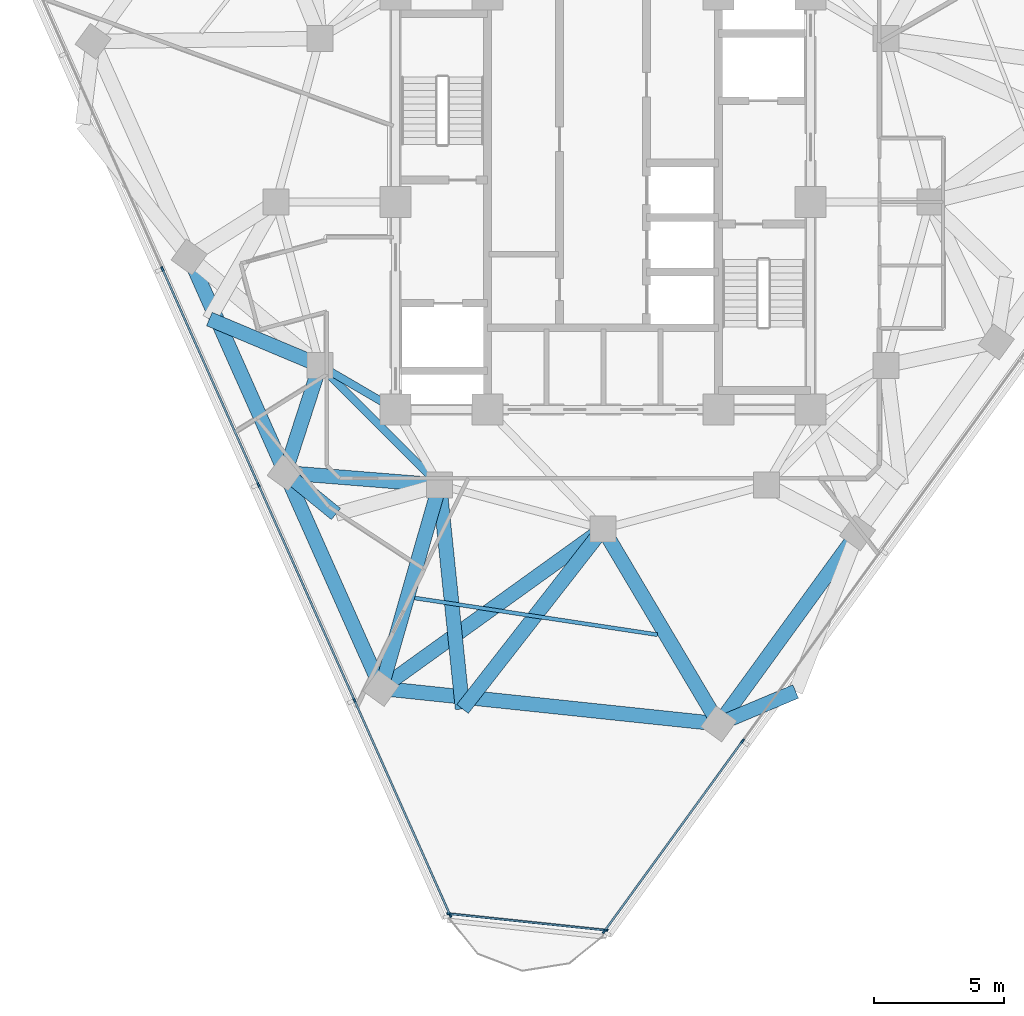
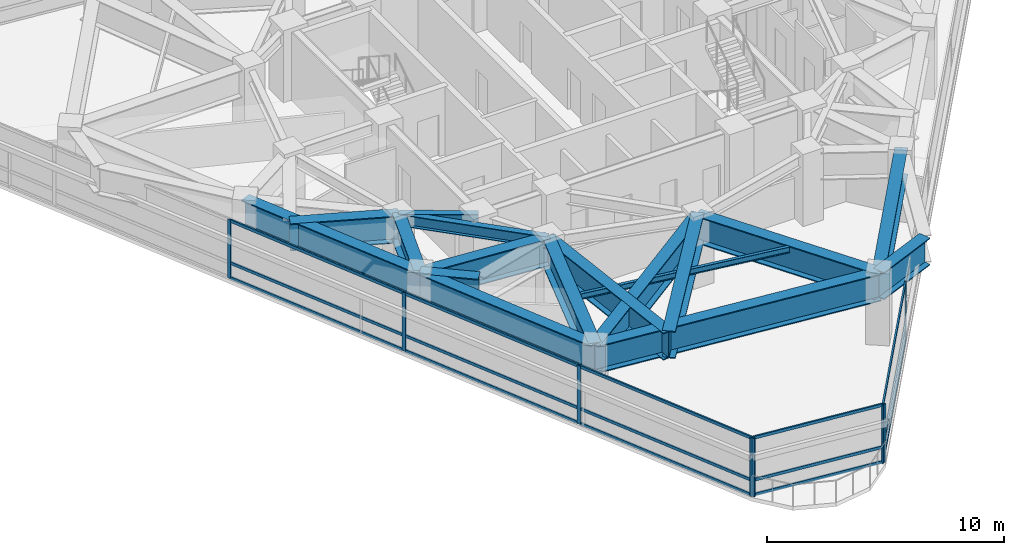
# One storey, part 2 of 14: 23 members, 17 beams, 3 elements without a shape of their own.
"""IFC4 building model written with IfcOpenShell, lengths in metres."""

from ifc_helpers import new_model, si_unit, direction, frame, origin, origin_2d, place, context, subcontext, project, spatial, rectangle, i_section, extrude, material, layer, layer_set, material_profile, profile_set, type_object, element, aggregate, save


model = new_model("IFC4")

# Units and contexts
model_context = context("Model", 3, precision=1e-05, world=origin(), true_north=direction((0.0, 1.0)))
body_context = subcontext(model_context, "Body", "Model", "MODEL_VIEW")
ifc_project = project(units=[si_unit("LENGTHUNIT", "METRE"), si_unit("AREAUNIT", "SQUARE_METRE"), si_unit("VOLUMEUNIT", "CUBIC_METRE"), si_unit("PLANEANGLEUNIT", "RADIAN"), si_unit("MASSUNIT", "GRAM", prefix="KILO")], contexts=[model_context])

# Site, building, storey
site_placement = place(None, origin())
site = spatial("IfcSite", under=ifc_project, at=site_placement, CompositionType="ELEMENT")
building_placement = place(site_placement, origin())
building = spatial("IfcBuilding", under=site, at=building_placement, Name="Terralouvre Media Tower", CompositionType="ELEMENT")
storey_placement = place(building_placement, frame((0.0, 0.0, 244.800048828125)))
storey = spatial("IfcBuildingStorey", under=building, at=storey_placement, Name="L63", CompositionType="ELEMENT", Elevation=244.800048828125)

# Beam
ifc_material_1 = material(Name="Structural steel S355J2", Category="steel")
ifc_material_profile_1 = material_profile(ifc_material_1, i_section(OverallWidth=0.14990234375, OverallDepth=0.300048828125, WebThickness=0.007080078125, FlangeThickness=0.0107421875, at=origin_2d()), Name="IPE 300")
ifc_profile_set_1 = profile_set([ifc_material_profile_1], Name="Structural steel S355J2")
beam_type_1 = type_object("IfcBeamType", Name="Composite Floor Joist J-IPE300 (IPE 300)", PredefinedType="JOIST", material=ifc_profile_set_1)
beam_1_placement = place(storey_placement, frame((-7.25927734375, -15.263671875, 3.349853515625), z_axis=(0.988745585287, -0.149606709659, 0.0), x_axis=(0.149606709659, 0.988745585287, 0.0)))
element("IfcBeam", 1, at=beam_1_placement, inside=storey, type_object=beam_type_1, Name="L63 Framing Beam JT-L63-01", PredefinedType="JOIST", context=body_context, shape_type="SweptSolid", body=[
    extrude(i_section(OverallWidth=0.14990234375, OverallDepth=0.300048828125, WebThickness=0.007080078125, FlangeThickness=0.0107421875, at=origin_2d()), origin(), (0.0, 0.0, 1.0), 9.46484375),
])

# Curtain wall, members
ifc_material_2 = material(Name="Low-iron laminated double glazing with solar-control coating", Category="glass")
ifc_layer_1 = layer(ifc_material_2, 0.1650390625, Name="Upper Executive Tower Curtain Wall CW-05")
ifc_layer_set_1 = layer_set([ifc_layer_1], Name="Low-iron laminated double glazing with solar-control coating")
curtain_wall_type_1 = type_object("IfcCurtainWallType", Name="Upper Executive Tower Curtain Wall CW-05", PredefinedType="NOTDEFINED", material=ifc_layer_set_1)
curtain_wall_1_placement = place(storey_placement, origin())
curtain_wall_1 = element("IfcCurtainWall", 2, at=curtain_wall_1_placement, inside=storey, type_object=curtain_wall_type_1, Name="L63 Facade Curtain Wall F0", PredefinedType="NOTDEFINED")
ifc_material_3 = material(Name="Anodised extruded aluminium 6063-T6", Category="aluminium")
ifc_material_profile_2 = material_profile(ifc_material_3, rectangle(XDim=0.074951171875, YDim=0.14990234375, at=origin_2d()), Name="ALU 75x150")
ifc_profile_set_2 = profile_set([ifc_material_profile_2], Name="Anodised extruded aluminium 6063-T6")
member_type_1 = type_object("IfcMemberType", Name="Curtain-Wall Horizontal Transom TR-150", PredefinedType="USERDEFINED", material=ifc_profile_set_2)
member_1_placement = place(storey_placement, frame((0.072998046875, -28.0810546875, 0.037353515625), z_axis=(0.587774298355, 0.809024952763, 0.0), x_axis=(-0.809024952763, 0.587774298355, 0.0)))
member_1 = element("IfcMember", 3, at=member_1_placement, type_object=member_type_1, Name="CW-05 transom 1.1", ObjectType="TRANSOM", PredefinedType="USERDEFINED", context=body_context, shape_type="SweptSolid", body=[
    extrude(rectangle(XDim=0.074951171875, YDim=0.14990234375, at=origin_2d()), origin(), (0.0, 0.0, 1.0), 8.987548828125),
])
member_2_placement = place(storey_placement, frame((0.072998046875, -28.0810546875, 0.800048828125), z_axis=(0.587774298355, 0.809024952763, 0.0), x_axis=(-0.809024952763, 0.587774298355, 0.0)))
member_2 = element("IfcMember", 4, at=member_2_placement, type_object=member_type_1, Name="CW-05 transom 1.2", ObjectType="TRANSOM", PredefinedType="USERDEFINED", context=body_context, shape_type="SweptSolid", body=[
    extrude(rectangle(XDim=0.074951171875, YDim=0.14990234375, at=origin_2d()), origin(), (0.0, 0.0, 1.0), 8.987548828125),
])
member_3_placement = place(storey_placement, frame((0.072998046875, -28.0810546875, 2.96240234375), z_axis=(0.587774298355, 0.809024952763, 0.0), x_axis=(-0.809024952763, 0.587774298355, 0.0)))
member_3 = element("IfcMember", 5, at=member_3_placement, type_object=member_type_1, Name="CW-05 transom 1.3", ObjectType="TRANSOM", PredefinedType="USERDEFINED", context=body_context, shape_type="SweptSolid", body=[
    extrude(rectangle(XDim=0.074951171875, YDim=0.14990234375, at=origin_2d()), origin(), (0.0, 0.0, 1.0), 8.987548828125),
])

curtain_wall_2_placement = place(storey_placement, origin())
curtain_wall_2 = element("IfcCurtainWall", 6, at=curtain_wall_2_placement, inside=storey, type_object=curtain_wall_type_1, Name="L63 Facade Curtain Wall F2", PredefinedType="NOTDEFINED")
member_4_placement = place(storey_placement, frame((-16.968017578125, -2.614990234375, 0.037353515625), z_axis=(0.406740753437, -0.913543627581, 0.0), x_axis=(0.913543627581, 0.406740753437, 0.0)))
member_4 = element("IfcMember", 7, at=member_4_placement, type_object=member_type_1, Name="CW-05 transom 3.1", ObjectType="TRANSOM", PredefinedType="USERDEFINED", context=body_context, shape_type="SweptSolid", body=[
    extrude(rectangle(XDim=0.074951171875, YDim=0.14990234375, at=origin_2d()), origin(), (0.0, 0.0, 1.0), 9.025146484375),
])
member_5_placement = place(storey_placement, frame((-16.968017578125, -2.614990234375, 0.800048828125), z_axis=(0.406740753437, -0.913543627581, 0.0), x_axis=(0.913543627581, 0.406740753437, 0.0)))
member_5 = element("IfcMember", 8, at=member_5_placement, type_object=member_type_1, Name="CW-05 transom 3.2", ObjectType="TRANSOM", PredefinedType="USERDEFINED", context=body_context, shape_type="SweptSolid", body=[
    extrude(rectangle(XDim=0.074951171875, YDim=0.14990234375, at=origin_2d()), origin(), (0.0, 0.0, 1.0), 9.025146484375),
])
member_6_placement = place(storey_placement, frame((-16.968017578125, -2.614990234375, 2.96240234375), z_axis=(0.406740753437, -0.913543627581, 0.0), x_axis=(0.913543627581, 0.406740753437, 0.0)))
member_6 = element("IfcMember", 9, at=member_6_placement, type_object=member_type_1, Name="CW-05 transom 3.3", ObjectType="TRANSOM", PredefinedType="USERDEFINED", context=body_context, shape_type="SweptSolid", body=[
    extrude(rectangle(XDim=0.074951171875, YDim=0.14990234375, at=origin_2d()), origin(), (0.0, 0.0, 1.0), 9.025146484375),
])
member_7_placement = place(storey_placement, frame((-13.2666015625, -10.928466796875, 0.037353515625), z_axis=(0.406728228643, -0.913549203943, 0.0), x_axis=(0.913549203943, 0.406728228643, 0.0)))
member_7 = element("IfcMember", 10, at=member_7_placement, type_object=member_type_1, Name="CW-05 transom 4.1", ObjectType="TRANSOM", PredefinedType="USERDEFINED", context=body_context, shape_type="SweptSolid", body=[
    extrude(rectangle(XDim=0.074951171875, YDim=0.14990234375, at=origin_2d()), origin(), (0.0, 0.0, 1.0), 9.02490234375),
])
member_8_placement = place(storey_placement, frame((-13.2666015625, -10.928466796875, 0.800048828125), z_axis=(0.406728228643, -0.913549203943, 0.0), x_axis=(0.913549203943, 0.406728228643, 0.0)))
member_8 = element("IfcMember", 11, at=member_8_placement, type_object=member_type_1, Name="CW-05 transom 4.2", ObjectType="TRANSOM", PredefinedType="USERDEFINED", context=body_context, shape_type="SweptSolid", body=[
    extrude(rectangle(XDim=0.074951171875, YDim=0.14990234375, at=origin_2d()), origin(), (0.0, 0.0, 1.0), 9.02490234375),
])
member_9_placement = place(storey_placement, frame((-13.2666015625, -10.928466796875, 2.96240234375), z_axis=(0.406728228643, -0.913549203943, 0.0), x_axis=(0.913549203943, 0.406728228643, 0.0)))
member_9 = element("IfcMember", 12, at=member_9_placement, type_object=member_type_1, Name="CW-05 transom 4.3", ObjectType="TRANSOM", PredefinedType="USERDEFINED", context=body_context, shape_type="SweptSolid", body=[
    extrude(rectangle(XDim=0.074951171875, YDim=0.14990234375, at=origin_2d()), origin(), (0.0, 0.0, 1.0), 9.02490234375),
])
member_10_placement = place(storey_placement, frame((-9.5654296875, -19.24169921875, 0.037353515625), z_axis=(0.406735720677, -0.913545868321, 0.0), x_axis=(0.913545868321, 0.406735720677, 0.0)))
member_10 = element("IfcMember", 13, at=member_10_placement, type_object=member_type_1, Name="CW-05 transom 5.1", ObjectType="TRANSOM", PredefinedType="USERDEFINED", context=body_context, shape_type="SweptSolid", body=[
    extrude(rectangle(XDim=0.074951171875, YDim=0.14990234375, at=origin_2d()), origin(), (0.0, 0.0, 1.0), 8.987548828125),
])
member_11_placement = place(storey_placement, frame((-9.5654296875, -19.24169921875, 0.800048828125), z_axis=(0.406735720677, -0.913545868321, 0.0), x_axis=(0.913545868321, 0.406735720677, 0.0)))
member_11 = element("IfcMember", 14, at=member_11_placement, type_object=member_type_1, Name="CW-05 transom 5.2", ObjectType="TRANSOM", PredefinedType="USERDEFINED", context=body_context, shape_type="SweptSolid", body=[
    extrude(rectangle(XDim=0.074951171875, YDim=0.14990234375, at=origin_2d()), origin(), (0.0, 0.0, 1.0), 8.987548828125),
])
member_12_placement = place(storey_placement, frame((-9.5654296875, -19.24169921875, 2.96240234375), z_axis=(0.406735720677, -0.913545868321, 0.0), x_axis=(0.913545868321, 0.406735720677, 0.0)))
member_12 = element("IfcMember", 15, at=member_12_placement, type_object=member_type_1, Name="CW-05 transom 5.3", ObjectType="TRANSOM", PredefinedType="USERDEFINED", context=body_context, shape_type="SweptSolid", body=[
    extrude(rectangle(XDim=0.074951171875, YDim=0.14990234375, at=origin_2d()), origin(), (0.0, 0.0, 1.0), 8.987548828125),
])

ifc_material_4 = material(Name="Low-iron laminated double glazing with solar-control coating", Category="glass")
ifc_layer_2 = layer(ifc_material_4, 0.1650390625, Name="Rounded Wind-Corner Curved Glazing CW-04")
ifc_layer_set_2 = layer_set([ifc_layer_2], Name="Low-iron laminated double glazing with solar-control coating")
curtain_wall_type_2 = type_object("IfcCurtainWallType", Name="Rounded Wind-Corner Curved Glazing CW-04", PredefinedType="NOTDEFINED", material=ifc_layer_set_2)
curtain_wall_3_placement = place(storey_placement, origin())
curtain_wall_3 = element("IfcCurtainWall", 16, at=curtain_wall_3_placement, inside=storey, type_object=curtain_wall_type_2, Name="L63 Rounded Wind-Corner Curtain Wall C0", PredefinedType="NOTDEFINED")
member_13_placement = place(storey_placement, frame((-5.899658203125, -27.43798828125, 0.037353515625), z_axis=(0.994519048003, -0.104555550594, 0.0), x_axis=(0.104555550594, 0.994519048003, 0.0)))
member_13 = element("IfcMember", 17, at=member_13_placement, type_object=member_type_1, Name="CW-04 transom 1.1", ObjectType="TRANSOM", PredefinedType="USERDEFINED", context=body_context, shape_type="SweptSolid", body=[
    extrude(rectangle(XDim=0.074951171875, YDim=0.14990234375, at=origin_2d()), origin(), (0.0, 0.0, 1.0), 5.998779296875),
])
member_14_placement = place(storey_placement, frame((-5.899658203125, -27.43798828125, 0.800048828125), z_axis=(0.994519048003, -0.104555550594, 0.0), x_axis=(0.104555550594, 0.994519048003, 0.0)))
member_14 = element("IfcMember", 18, at=member_14_placement, type_object=member_type_1, Name="CW-04 transom 1.2", ObjectType="TRANSOM", PredefinedType="USERDEFINED", context=body_context, shape_type="SweptSolid", body=[
    extrude(rectangle(XDim=0.074951171875, YDim=0.14990234375, at=origin_2d()), origin(), (0.0, 0.0, 1.0), 5.998779296875),
])
member_15_placement = place(storey_placement, frame((-5.899658203125, -27.43798828125, 2.96240234375), z_axis=(0.994519048003, -0.104555550594, 0.0), x_axis=(0.104555550594, 0.994519048003, 0.0)))
member_15 = element("IfcMember", 19, at=member_15_placement, type_object=member_type_1, Name="CW-04 transom 1.3", ObjectType="TRANSOM", PredefinedType="USERDEFINED", context=body_context, shape_type="SweptSolid", body=[
    extrude(rectangle(XDim=0.074951171875, YDim=0.14990234375, at=origin_2d()), origin(), (0.0, 0.0, 1.0), 5.998779296875),
])

# Member
ifc_material_5 = material(Name="Anodised extruded aluminium 6063-T6", Category="aluminium")
ifc_material_profile_3 = material_profile(ifc_material_5, rectangle(XDim=0.074951171875, YDim=0.179931640625, at=origin_2d()), Name="ALU 75x180")
ifc_profile_set_3 = profile_set([ifc_material_profile_3], Name="Anodised extruded aluminium 6063-T6")
member_type_2 = type_object("IfcMemberType", Name="Curtain-Wall Vertical Mullion ML-180", PredefinedType="MULLION", material=ifc_profile_set_3)
member_16_placement = place(storey_placement, frame((0.051025390625, -28.111328125, 0.0), z_axis=(0.0, 0.0, 1.0), x_axis=(-0.809016959074, 0.587785300879, 0.0)))
member_16 = element("IfcMember", 20, at=member_16_placement, type_object=member_type_2, Name="CW-05 mullion 1", PredefinedType="MULLION", context=body_context, shape_type="SweptSolid", body=[
    extrude(rectangle(XDim=0.074951171875, YDim=0.179931640625, at=origin_2d()), origin(), (0.0, 0.0, 1.0), 3.0),
])

member_17_placement = place(storey_placement, frame((5.3779296875, -20.779541015625, 0.0), z_axis=(0.0, 0.0, 1.0), x_axis=(-0.809016959074, 0.587785300879, 0.0)))
member_17 = element("IfcMember", 21, at=member_17_placement, type_object=member_type_2, Name="CW-05 mullion 2", PredefinedType="MULLION", context=body_context, shape_type="SweptSolid", body=[
    extrude(rectangle(XDim=0.074951171875, YDim=0.179931640625, at=origin_2d()), origin(), (0.0, 0.0, 1.0), 3.0),
])

aggregate(curtain_wall_1, [member_16, member_17, member_1, member_2, member_3])

member_18_placement = place(storey_placement, frame((-16.983154296875, -2.580810546875, 0.0), z_axis=(0.0, 0.0, 1.0), x_axis=(0.913545441365, 0.406736679636, 0.0)))
member_18 = element("IfcMember", 22, at=member_18_placement, type_object=member_type_2, Name="CW-05 mullion 3", PredefinedType="MULLION", context=body_context, shape_type="SweptSolid", body=[
    extrude(rectangle(XDim=0.074951171875, YDim=0.179931640625, at=origin_2d()), origin(), (0.0, 0.0, 1.0), 3.0),
])

member_19_placement = place(storey_placement, frame((-13.281982421875, -10.89404296875, 0.0), z_axis=(0.0, 0.0, 1.0), x_axis=(0.913545441365, 0.406736679636, 0.0)))
member_19 = element("IfcMember", 23, at=member_19_placement, type_object=member_type_2, Name="CW-05 mullion 4", PredefinedType="MULLION", context=body_context, shape_type="SweptSolid", body=[
    extrude(rectangle(XDim=0.074951171875, YDim=0.179931640625, at=origin_2d()), origin(), (0.0, 0.0, 1.0), 3.0),
])

member_20_placement = place(storey_placement, frame((-9.58056640625, -19.207275390625, 0.0), z_axis=(0.0, 0.0, 1.0), x_axis=(0.913545441365, 0.406736679636, 0.0)))
member_20 = element("IfcMember", 24, at=member_20_placement, type_object=member_type_2, Name="CW-05 mullion 5", PredefinedType="MULLION", context=body_context, shape_type="SweptSolid", body=[
    extrude(rectangle(XDim=0.074951171875, YDim=0.179931640625, at=origin_2d()), origin(), (0.0, 0.0, 1.0), 3.0),
])

member_21_placement = place(storey_placement, frame((-5.89453125, -27.486328125, 0.0), z_axis=(0.0, 0.0, 1.0), x_axis=(0.913545441365, 0.406736679636, 0.0)))
member_21 = element("IfcMember", 25, at=member_21_placement, type_object=member_type_2, Name="CW-05 mullion 6", PredefinedType="MULLION", context=body_context, shape_type="SweptSolid", body=[
    extrude(rectangle(XDim=0.074951171875, YDim=0.179931640625, at=origin_2d()), origin(), (0.0, 0.0, 1.0), 3.0),
])

aggregate(curtain_wall_2, [member_18, member_19, member_20, member_21, member_4, member_5, member_6, member_7, member_8, member_9, member_10, member_11, member_12])

member_22_placement = place(storey_placement, frame((-5.93701171875, -27.43408203125, 0.0), z_axis=(0.0, 0.0, 1.0), x_axis=(0.104527995322, 0.994521944551, 0.0)))
member_22 = element("IfcMember", 26, at=member_22_placement, type_object=member_type_2, Name="CW-04 mullion 1", PredefinedType="MULLION", context=body_context, shape_type="SweptSolid", body=[
    extrude(rectangle(XDim=0.074951171875, YDim=0.179931640625, at=origin_2d()), origin(), (0.0, 0.0, 1.0), 3.0),
])

member_23_placement = place(storey_placement, frame((0.103515625, -28.069091796875, 0.0), z_axis=(0.0, 0.0, 1.0), x_axis=(0.104527995322, 0.994521944551, 0.0)))
member_23 = element("IfcMember", 27, at=member_23_placement, type_object=member_type_2, Name="CW-04 mullion 2", PredefinedType="MULLION", context=body_context, shape_type="SweptSolid", body=[
    extrude(rectangle(XDim=0.074951171875, YDim=0.179931640625, at=origin_2d()), origin(), (0.0, 0.0, 1.0), 3.0),
])

aggregate(curtain_wall_3, [member_22, member_23, member_13, member_14, member_15])

# Beams
ifc_material_6 = material(Name="Structural steel S460M", Category="steel")
ifc_material_profile_4 = material_profile(ifc_material_6, i_section(OverallWidth=0.300048828125, OverallDepth=0.60009765625, WebThickness=0.015380859375, FlangeThickness=0.030029296875, at=origin_2d()), Name="HEB 600")
ifc_profile_set_4 = profile_set([ifc_material_profile_4], Name="Structural steel S460M")
beam_type_2 = type_object("IfcBeamType", Name="Primary Floor Girder B-HEB600 (HEB 600)", PredefinedType="BEAM", material=ifc_profile_set_4)
beam_2_placement = place(storey_placement, frame((-10.911865234375, -6.300048828125, 3.199951171875), z_axis=(0.707106781187, -0.707106781187, 0.0), x_axis=(0.707106781187, 0.707106781187, 0.0)))
element("IfcBeam", 28, at=beam_2_placement, inside=storey, type_object=beam_type_2, Name="L63 Framing Beam BM-L63-MR01", PredefinedType="BEAM", context=body_context, shape_type="SweptSolid", body=[
    extrude(i_section(OverallWidth=0.300048828125, OverallDepth=0.60009765625, WebThickness=0.015380859375, FlangeThickness=0.030029296875, at=origin_2d()), origin(), (0.0, 0.0, 1.0), 6.52197265625),
])
beam_3_placement = place(storey_placement, frame((-8.0, -8.0, 3.199951171875), z_axis=(-0.863602894532, 0.504172629717, 0.0), x_axis=(-0.504172629717, -0.863602894532, 0.0)))
element("IfcBeam", 29, at=beam_3_placement, inside=storey, type_object=beam_type_2, Name="L63 Framing Beam BM-L63-CM01", PredefinedType="BEAM", context=body_context, shape_type="SweptSolid", body=[
    extrude(i_section(OverallWidth=0.300048828125, OverallDepth=0.60009765625, WebThickness=0.015380859375, FlangeThickness=0.030029296875, at=origin_2d()), origin(), (0.0, 0.0, 1.0), 3.371826171875),
])
ifc_material_7 = material(Name="Structural steel S460M", Category="steel")
ifc_material_profile_5 = material_profile(ifc_material_7, i_section(OverallWidth=0.56005859375, OverallDepth=1.39990234375, WebThickness=0.031982421875, FlangeThickness=0.050048828125, at=origin_2d()), Name="TG 1400x560")
ifc_profile_set_5 = profile_set([ifc_material_profile_5], Name="Structural steel S460M")
beam_type_3 = type_object("IfcBeamType", Name="Welded Transfer Girder TG-1400 (TG 1400x560)", PredefinedType="USERDEFINED", material=ifc_profile_set_5)
beam_4_placement = place(storey_placement, frame((-15.950927734375, -2.121337890625, 2.800048828125), z_axis=(0.406725851667, -0.913550262211, 0.0), x_axis=(0.913550262211, 0.406725851667, 0.0)))
element("IfcBeam", 30, at=beam_4_placement, inside=storey, type_object=beam_type_3, Name="L63 Framing Beam BM-L63-PR01", ObjectType="TRANSFER GIRDER", PredefinedType="USERDEFINED", context=body_context, shape_type="SweptSolid", body=[
    extrude(i_section(OverallWidth=0.56005859375, OverallDepth=1.39990234375, WebThickness=0.031982421875, FlangeThickness=0.050048828125, at=origin_2d()), origin(), (0.0, 0.0, 1.0), 9.099853515625),
])
beam_5_placement = place(storey_placement, frame((-12.249755859375, -10.4345703125, 2.800048828125), z_axis=(0.40674824199, -0.913540293385, 0.0), x_axis=(0.913540293385, 0.40674824199, 0.0)))
element("IfcBeam", 31, at=beam_5_placement, inside=storey, type_object=beam_type_3, Name="L63 Framing Beam BM-L63-PR02", ObjectType="TRANSFER GIRDER", PredefinedType="USERDEFINED", context=body_context, shape_type="SweptSolid", body=[
    extrude(i_section(OverallWidth=0.56005859375, OverallDepth=1.39990234375, WebThickness=0.031982421875, FlangeThickness=0.050048828125, at=origin_2d()), origin(), (0.0, 0.0, 1.0), 9.10009765625),
])
beam_6_placement = place(storey_placement, frame((-8.54833984375, -18.747802734375, 2.800048828125), z_axis=(0.994521391833, -0.104533253974, 0.0), x_axis=(0.104533253974, 0.994521391833, 0.0)))
element("IfcBeam", 32, at=beam_6_placement, inside=storey, type_object=beam_type_3, Name="L63 Framing Beam BM-L63-PR03", ObjectType="TRANSFER GIRDER", PredefinedType="USERDEFINED", context=body_context, shape_type="SweptSolid", body=[
    extrude(i_section(OverallWidth=0.56005859375, OverallDepth=1.39990234375, WebThickness=0.031982421875, FlangeThickness=0.050048828125, at=origin_2d()), origin(), (0.0, 0.0, 1.0), 13.083740234375),
])
beam_7_placement = place(storey_placement, frame((4.463623046875, -20.115478515625, 2.800048828125), z_axis=(0.587787185033, 0.809015590153, 0.0), x_axis=(-0.809015590153, 0.587787185033, 0.0)))
element("IfcBeam", 33, at=beam_7_placement, inside=storey, type_object=beam_type_3, Name="L63 Framing Beam BM-L63-PR04", ObjectType="TRANSFER GIRDER", PredefinedType="USERDEFINED", context=body_context, shape_type="SweptSolid", body=[
    extrude(i_section(OverallWidth=0.56005859375, OverallDepth=1.39990234375, WebThickness=0.031982421875, FlangeThickness=0.050048828125, at=origin_2d()), origin(), (0.0, 0.0, 1.0), 9.10009765625),
])
beam_8_placement = place(storey_placement, frame((-10.911865234375, -6.300048828125, 2.800048828125), z_axis=(-0.307872638555, -0.951427579183, 0.0), x_axis=(0.951427579183, -0.307872638555, 0.0)))
element("IfcBeam", 34, at=beam_8_placement, inside=storey, type_object=beam_type_3, Name="L63 Framing Beam BM-L63-RD02", ObjectType="TRANSFER GIRDER", PredefinedType="USERDEFINED", context=body_context, shape_type="SweptSolid", body=[
    extrude(i_section(OverallWidth=0.56005859375, OverallDepth=1.39990234375, WebThickness=0.031982421875, FlangeThickness=0.050048828125, at=origin_2d()), origin(), (0.0, 0.0, 1.0), 4.345703125),
])
beam_9_placement = place(storey_placement, frame((-6.300048828125, -10.911865234375, 2.800048828125), z_axis=(-0.275792876342, -0.96121708753, 0.0), x_axis=(0.96121708753, -0.275792876342, 0.0)))
element("IfcBeam", 35, at=beam_9_placement, inside=storey, type_object=beam_type_3, Name="L63 Framing Beam BM-L63-RD03", ObjectType="TRANSFER GIRDER", PredefinedType="USERDEFINED", context=body_context, shape_type="SweptSolid", body=[
    extrude(i_section(OverallWidth=0.56005859375, OverallDepth=1.39990234375, WebThickness=0.031982421875, FlangeThickness=0.050048828125, at=origin_2d()), origin(), (0.0, 0.0, 1.0), 8.152099609375),
])
beam_10_placement = place(storey_placement, frame((0.0, -12.60009765625, 2.800048828125), z_axis=(0.510654263047, -0.859786149942, 0.0), x_axis=(0.859786149942, 0.510654263047, 0.0)))
element("IfcBeam", 36, at=beam_10_placement, inside=storey, type_object=beam_type_3, Name="L63 Framing Beam BM-L63-RD04", ObjectType="TRANSFER GIRDER", PredefinedType="USERDEFINED", context=body_context, shape_type="SweptSolid", body=[
    extrude(i_section(OverallWidth=0.56005859375, OverallDepth=1.39990234375, WebThickness=0.031982421875, FlangeThickness=0.050048828125, at=origin_2d()), origin(), (0.0, 0.0, 1.0), 8.740966796875),
])
beam_11_placement = place(storey_placement, frame((7.42626953125, -18.867919921875, 2.800048828125), z_axis=(-0.921621078541, -0.388090952727, 0.0), x_axis=(0.388090952727, -0.921621078541, 0.0)))
element("IfcBeam", 37, at=beam_11_placement, inside=storey, type_object=beam_type_3, Name="L63 Framing Beam BM-L63-TR01S1", ObjectType="TRANSFER GIRDER", PredefinedType="USERDEFINED", context=body_context, shape_type="SweptSolid", body=[
    extrude(i_section(OverallWidth=0.56005859375, OverallDepth=1.39990234375, WebThickness=0.031982421875, FlangeThickness=0.050048828125, at=origin_2d()), origin(), (0.0, 0.0, 1.0), 3.214599609375),
])
beam_12_placement = place(storey_placement, frame((-15.17333984375, -4.51171875, 2.800048828125), z_axis=(0.922097113404, -0.386958542291, 0.0), x_axis=(0.386958542291, 0.922097113404, 0.0)))
element("IfcBeam", 38, at=beam_12_placement, inside=storey, type_object=beam_type_3, Name="L63 Framing Beam BM-L63-TR10S1", ObjectType="TRANSFER GIRDER", PredefinedType="USERDEFINED", context=body_context, shape_type="SweptSolid", body=[
    extrude(i_section(OverallWidth=0.56005859375, OverallDepth=1.39990234375, WebThickness=0.031982421875, FlangeThickness=0.050048828125, at=origin_2d()), origin(), (0.0, 0.0, 1.0), 4.62158203125),
])
beam_13_placement = place(storey_placement, frame((-12.249755859375, -10.4345703125, 2.800048828125), z_axis=(0.996797696797, -0.07996469008, 0.0), x_axis=(0.07996469008, 0.996797696797, 0.0)))
element("IfcBeam", 39, at=beam_13_placement, inside=storey, type_object=beam_type_3, Name="L63 Framing Beam BM-L63-TRC11", ObjectType="TRANSFER GIRDER", PredefinedType="USERDEFINED", context=body_context, shape_type="SweptSolid", body=[
    extrude(i_section(OverallWidth=0.56005859375, OverallDepth=1.39990234375, WebThickness=0.031982421875, FlangeThickness=0.050048828125, at=origin_2d()), origin(), (0.0, 0.0, 1.0), 5.96875),
])
beam_14_placement = place(storey_placement, frame((-10.293212890625, -12.0263671875, 2.800048828125), z_axis=(-0.775705253627, 0.631095364818, 0.0), x_axis=(-0.631095364818, -0.775705253627, 0.0)))
element("IfcBeam", 40, at=beam_14_placement, inside=storey, type_object=beam_type_3, Name="L63 Framing Beam BM-L63-TR11S1", ObjectType="TRANSFER GIRDER", PredefinedType="USERDEFINED", context=body_context, shape_type="SweptSolid", body=[
    extrude(i_section(OverallWidth=0.56005859375, OverallDepth=1.39990234375, WebThickness=0.031982421875, FlangeThickness=0.050048828125, at=origin_2d()), origin(), (0.0, 0.0, 1.0), 2.522216796875),
])
beam_15_placement = place(storey_placement, frame((-8.54833984375, -18.747802734375, 2.800048828125), z_axis=(0.811853945169, 0.583860575578, 0.0), x_axis=(-0.583860575578, 0.811853945169, 0.0)))
element("IfcBeam", 41, at=beam_15_placement, inside=storey, type_object=beam_type_3, Name="L63 Framing Beam BM-L63-TRC12", ObjectType="TRANSFER GIRDER", PredefinedType="USERDEFINED", context=body_context, shape_type="SweptSolid", body=[
    extrude(i_section(OverallWidth=0.56005859375, OverallDepth=1.39990234375, WebThickness=0.031982421875, FlangeThickness=0.050048828125, at=origin_2d()), origin(), (0.0, 0.0, 1.0), 10.529296875),
])
beam_16_placement = place(storey_placement, frame((-5.413330078125, -19.540771484375, 2.800048828125), z_axis=(-0.102223114396, 0.994761496482, 0.0), x_axis=(-0.994761496482, -0.102223114396, 0.0)))
element("IfcBeam", 42, at=beam_16_placement, inside=storey, type_object=beam_type_3, Name="L63 Framing Beam BM-L63-TR12S1", ObjectType="TRANSFER GIRDER", PredefinedType="USERDEFINED", context=body_context, shape_type="SweptSolid", body=[
    extrude(i_section(OverallWidth=0.56005859375, OverallDepth=1.39990234375, WebThickness=0.031982421875, FlangeThickness=0.050048828125, at=origin_2d()), origin(), (0.0, 0.0, 1.0), 8.67431640625),
])
beam_17_placement = place(storey_placement, frame((-5.413330078125, -19.540771484375, 2.800048828125), z_axis=(0.615003861657, 0.78852409611, 0.0), x_axis=(-0.78852409611, 0.615003861657, 0.0)))
element("IfcBeam", 43, at=beam_17_placement, inside=storey, type_object=beam_type_3, Name="L63 Framing Beam BM-L63-TR12S2", ObjectType="TRANSFER GIRDER", PredefinedType="USERDEFINED", context=body_context, shape_type="SweptSolid", body=[
    extrude(i_section(OverallWidth=0.56005859375, OverallDepth=1.39990234375, WebThickness=0.031982421875, FlangeThickness=0.050048828125, at=origin_2d()), origin(), (0.0, 0.0, 1.0), 8.802001953125),
])

save(model, "model.ifc")
